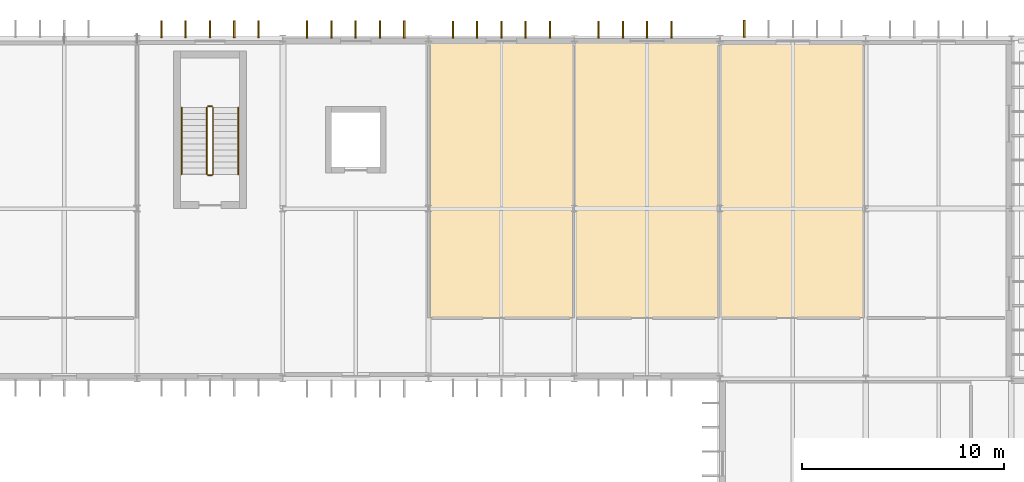
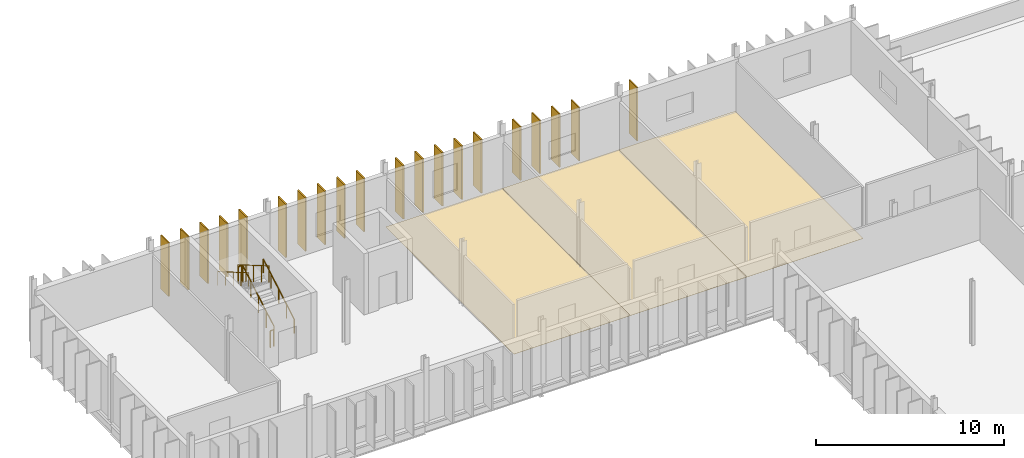
# One storey, part 60 of 61: 20 shading devices, 6 railings, 3 coverings.
"""IFC4 building model written with IfcOpenShell, lengths in metres."""

from ifc_helpers import new_model, si_unit, direction, frame, origin, origin_2d, place, context, subcontext, project, spatial, polyline, rectangle, circle, outline, extrude, material, layer, layer_set, type_object, element, save


model = new_model("IFC4")

# Units and contexts
model_context = context("Model", 3, precision=1e-05, world=origin(), true_north=direction((0.0, 1.0)))
body_context = subcontext(model_context, "Body", "Model", "MODEL_VIEW")
ifc_project = project(units=[si_unit("LENGTHUNIT", "METRE"), si_unit("AREAUNIT", "SQUARE_METRE"), si_unit("VOLUMEUNIT", "CUBIC_METRE"), si_unit("PLANEANGLEUNIT", "RADIAN"), si_unit("MASSUNIT", "GRAM", prefix="KILO")], contexts=[model_context])

# Site, building, storey
site_placement = place(None, origin())
site = spatial("IfcSite", under=ifc_project, at=site_placement, CompositionType="ELEMENT")
building_placement = place(site_placement, origin())
building = spatial("IfcBuilding", under=site, at=building_placement, Name="Qelthora Terrace Specialist Clinic", CompositionType="ELEMENT")
storey_placement = place(building_placement, frame((0.0, 0.0, 13.199951171875)))
storey = spatial("IfcBuildingStorey", under=building, at=storey_placement, Name="L03", CompositionType="ELEMENT", Elevation=13.199951171875)

# Coverings
ifc_material_1 = material(Name="Antimicrobial clinical linoleum flooring", Category="other")
ifc_layer = layer(ifc_material_1, 0.011962890625)
ifc_layer_set = layer_set([ifc_layer], Name="Antimicrobial clinical linoleum flooring")
covering_type = type_object("IfcCoveringType", Name="COV-FLR-LINO-12", PredefinedType="FLOORING", material=ifc_layer_set)
covering_1_placement = place(storey_placement, origin())
element("IfcCovering", 1, at=covering_1_placement, inside=storey, type_object=covering_type, Name="Molecular Pathology Wet Lab L03-61 resilient linoleum flooring", PredefinedType="FLOORING", context=body_context, shape_type="SweptSolid", body=[
    extrude(outline(polyline([(79.199951171875, 95.39990234375), (79.199951171875, 109.050048828125), (86.362548828125, 109.050048828125), (86.362548828125, 95.39990234375), (79.199951171875, 95.39990234375)])), origin(), (0.0, 0.0, 1.0), 0.011962890625),
])
covering_2_placement = place(storey_placement, origin())
element("IfcCovering", 2, at=covering_2_placement, inside=storey, type_object=covering_type, Name="Altitude Hypoxia Physiology Lab L03-62 resilient linoleum flooring", PredefinedType="FLOORING", context=body_context, shape_type="SweptSolid", body=[
    extrude(outline(polyline([(86.367431640625, 95.39990234375), (86.367431640625, 109.050048828125), (93.52490234375, 109.050048828125), (93.52490234375, 95.39990234375), (86.367431640625, 95.39990234375)])), origin(), (0.0, 0.0, 1.0), 0.011962890625),
])
covering_3_placement = place(storey_placement, origin())
element("IfcCovering", 3, at=covering_3_placement, inside=storey, type_object=covering_type, Name="Bioinformatics Dry Lab L03-63 resilient linoleum flooring", PredefinedType="FLOORING", context=body_context, shape_type="SweptSolid", body=[
    extrude(outline(polyline([(93.530029296875, 95.39990234375), (93.530029296875, 109.050048828125), (100.6875, 109.050048828125), (100.6875, 95.39990234375), (93.530029296875, 95.39990234375)])), origin(), (0.0, 0.0, 1.0), 0.011962890625),
])

# Railings
ifc_material_2 = material(Name="Steel S355", Category="steel")
railing_type_1 = type_object("IfcRailingType", Name="RAL-GD-1100-S355", PredefinedType="GUARDRAIL", material=ifc_material_2)
railing_1_placement = place(storey_placement, frame((68.550048828125, 102.5, 0.175048828125)))
element("IfcRailing", 4, at=railing_1_placement, inside=storey, type_object=railing_type_1, Name="L03 ST-07 stair guard 1", PredefinedType="GUARDRAIL", context=body_context, shape_type="SweptSolid", body=[
    extrude(circle(Radius=0.02392578125, at=origin_2d()), frame((0.0, 0.0, 1.076171875), z_axis=(0.0, 0.863776583165, 0.503874998761), x_axis=(-1.0, 0.0, 0.0)), (0.0, 0.0, 1.0), 3.820556640625),
    extrude(circle(Radius=0.02099609375, at=origin_2d()), origin(), (0.0, 0.0, 1.0), 1.052001953125),
    extrude(circle(Radius=0.02099609375, at=origin_2d()), frame((0.0, 0.824951171875, 0.481201171875)), (0.0, 0.0, 1.0), 1.052001953125),
    extrude(circle(Radius=0.02099609375, at=origin_2d()), frame((0.0, 1.64990234375, 0.96240234375)), (0.0, 0.0, 1.0), 1.052001953125),
    extrude(circle(Radius=0.02099609375, at=origin_2d()), frame((0.0, 2.47509765625, 1.44384765625)), (0.0, 0.0, 1.0), 1.052001953125),
    extrude(circle(Radius=0.02099609375, at=origin_2d()), frame((0.0, 3.300048828125, 1.925048828125)), (0.0, 0.0, 1.0), 1.052001953125),
])
railing_2_placement = place(storey_placement, frame((68.5, 105.85009765625, 2.10009765625)))
element("IfcRailing", 5, at=railing_2_placement, inside=storey, type_object=railing_type_1, Name="L03 ST-07 stair guard 2", PredefinedType="GUARDRAIL", context=body_context, shape_type="SweptSolid", body=[
    extrude(circle(Radius=0.02392578125, at=origin_2d()), frame((0.0, 0.0, 1.076171875), z_axis=(-1.0, 0.0, 0.0), x_axis=(0.0, -1.0, 0.0)), (0.0, 0.0, 1.0), 0.199951171875),
    extrude(circle(Radius=0.02099609375, at=origin_2d()), origin(), (0.0, 0.0, 1.0), 1.052001953125),
    extrude(circle(Radius=0.02099609375, at=origin_2d()), frame((-0.199951171875, 0.0, 0.0)), (0.0, 0.0, 1.0), 1.052001953125),
])
railing_3_placement = place(storey_placement, frame((68.25, 105.800048828125, 2.275146484375)))
element("IfcRailing", 6, at=railing_3_placement, inside=storey, type_object=railing_type_1, Name="L03 ST-07 stair guard 3", PredefinedType="GUARDRAIL", context=body_context, shape_type="SweptSolid", body=[
    extrude(circle(Radius=0.02392578125, at=origin_2d()), frame((0.0, 0.0, 1.076171875), z_axis=(0.0, -0.863804395585, 0.503827317807), x_axis=(1.0, 0.0, 0.0)), (0.0, 0.0, 1.0), 3.8203125),
    extrude(circle(Radius=0.02099609375, at=origin_2d()), origin(), (0.0, 0.0, 1.0), 1.052001953125),
    extrude(circle(Radius=0.02099609375, at=origin_2d()), frame((0.0, -0.824951171875, 0.481201171875)), (0.0, 0.0, 1.0), 1.052001953125),
    extrude(circle(Radius=0.02099609375, at=origin_2d()), frame((0.0, -1.64990234375, 0.96240234375)), (0.0, 0.0, 1.0), 1.052001953125),
    extrude(circle(Radius=0.02099609375, at=origin_2d()), frame((0.0, -2.47509765625, 1.443603515625)), (0.0, 0.0, 1.0), 1.052001953125),
    extrude(circle(Radius=0.02099609375, at=origin_2d()), frame((0.0, -3.300048828125, 1.9248046875)), (0.0, 0.0, 1.0), 1.052001953125),
])
railing_4_placement = place(storey_placement, frame((68.5, 102.449951171875, 0.0)))
element("IfcRailing", 7, at=railing_4_placement, inside=storey, type_object=railing_type_1, Name="L03 ST-07 stair guard 4", PredefinedType="GUARDRAIL", context=body_context, shape_type="SweptSolid", body=[
    extrude(circle(Radius=0.02392578125, at=origin_2d()), frame((0.0, 0.0, 1.076171875), z_axis=(-1.0, 0.0, 0.0), x_axis=(0.0, -1.0, 0.0)), (0.0, 0.0, 1.0), 0.199951171875),
    extrude(circle(Radius=0.02099609375, at=origin_2d()), origin(), (0.0, 0.0, 1.0), 1.052001953125),
    extrude(circle(Radius=0.02099609375, at=origin_2d()), frame((-0.199951171875, 0.0, 0.0)), (0.0, 0.0, 1.0), 1.052001953125),
])
railing_type_2 = type_object("IfcRailingType", Name="RAL-HR-900-S355", PredefinedType="HANDRAIL", material=ifc_material_2)
railing_5_placement = place(storey_placement, frame((69.800048828125, 102.5, 0.3681640625)))
element("IfcRailing", 8, at=railing_5_placement, inside=storey, type_object=railing_type_2, Name="L03 ST-07 stair handrail 1", PredefinedType="HANDRAIL", context=body_context, shape_type="SweptSolid", body=[
    extrude(circle(Radius=0.02392578125, at=origin_2d()), frame((0.0, 0.0, 0.8759765625), z_axis=(0.0, 0.863804395585, 0.503827317807), x_axis=(-1.0, 0.0, 0.0)), (0.0, 0.0, 1.0), 3.8203125),
    extrude(circle(Radius=0.02099609375, at=origin_2d()), origin(), (0.0, 0.0, 1.0), 0.851806640625),
    extrude(circle(Radius=0.02099609375, at=origin_2d()), frame((0.0, 0.824951171875, 0.481201171875)), (0.0, 0.0, 1.0), 0.851806640625),
    extrude(circle(Radius=0.02099609375, at=origin_2d()), frame((0.0, 1.64990234375, 0.96240234375)), (0.0, 0.0, 1.0), 0.851806640625),
    extrude(circle(Radius=0.02099609375, at=origin_2d()), frame((0.0, 2.47509765625, 1.443603515625)), (0.0, 0.0, 1.0), 0.851806640625),
    extrude(circle(Radius=0.02099609375, at=origin_2d()), frame((0.0, 3.300048828125, 1.9248046875)), (0.0, 0.0, 1.0), 0.851806640625),
])
railing_6_placement = place(storey_placement, frame((67.0, 105.800048828125, 2.468017578125)))
element("IfcRailing", 9, at=railing_6_placement, inside=storey, type_object=railing_type_2, Name="L03 ST-07 stair handrail 2", PredefinedType="HANDRAIL", context=body_context, shape_type="SweptSolid", body=[
    extrude(circle(Radius=0.02392578125, at=origin_2d()), frame((0.0, 0.0, 0.8759765625), z_axis=(0.0, -0.863776583165, 0.503874998761), x_axis=(1.0, 0.0, 0.0)), (0.0, 0.0, 1.0), 3.820556640625),
    extrude(circle(Radius=0.02099609375, at=origin_2d()), origin(), (0.0, 0.0, 1.0), 0.851806640625),
    extrude(circle(Radius=0.02099609375, at=origin_2d()), frame((0.0, -0.824951171875, 0.481201171875)), (0.0, 0.0, 1.0), 0.851806640625),
    extrude(circle(Radius=0.02099609375, at=origin_2d()), frame((0.0, -1.64990234375, 0.96240234375)), (0.0, 0.0, 1.0), 0.851806640625),
    extrude(circle(Radius=0.02099609375, at=origin_2d()), frame((0.0, -2.47509765625, 1.44384765625)), (0.0, 0.0, 1.0), 0.851806640625),
    extrude(circle(Radius=0.02099609375, at=origin_2d()), frame((0.0, -3.300048828125, 1.925048828125)), (0.0, 0.0, 1.0), 0.851806640625),
])

# Shading devices
ifc_material_3 = material(Name="Glulam timber GL28h", Category="wood")
shading_device_type = type_object("IfcShadingDeviceType", Name="SHD-FIN-850", PredefinedType="USERDEFINED", material=ifc_material_3)
for number, where, z_axis, x_axis, name in (
    (10, (66.0, 109.6650390625, 0.0), (0.0, 0.0, 1.0), (0.0, 1.0, 0.0), "Exterior solar shading fin FIN-1576"),
    (11, (67.199951171875, 109.6650390625, 0.0), (0.0, 0.0, 1.0), (0.0, 1.0, 0.0), "Exterior solar shading fin FIN-1577"),
    (12, (68.39990234375, 109.6650390625, 0.0), (0.0, 0.0, 1.0), (0.0, 1.0, 0.0), "Exterior solar shading fin FIN-1578"),
    (13, (69.60009765625, 109.6650390625, 0.0), (0.0, 0.0, 1.0), (0.0, 1.0, 0.0), "Exterior solar shading fin FIN-1579"),
    (14, (70.800048828125, 109.6650390625, 0.0), (0.0, 0.0, 1.0), (0.0, 1.0, 0.0), "Exterior solar shading fin FIN-1580"),
    (15, (73.199951171875, 109.655029296875, 0.0), (0.0, 0.0, 1.0), (0.0, 1.0, 0.0), "Exterior solar shading fin FIN-1581"),
    (16, (74.39990234375, 109.655029296875, 0.0), (0.0, 0.0, 1.0), (0.0, 1.0, 0.0), "Exterior solar shading fin FIN-1582"),
    (17, (75.60009765625, 109.655029296875, 0.0), (0.0, 0.0, 1.0), (0.0, 1.0, 0.0), "Exterior solar shading fin FIN-1583"),
    (18, (76.800048828125, 109.655029296875, 0.0), (0.0, 0.0, 1.0), (0.0, 1.0, 0.0), "Exterior solar shading fin FIN-1584"),
    (19, (78.0, 109.655029296875, 0.0), (0.0, 0.0, 1.0), (0.0, 1.0, 0.0), "Exterior solar shading fin FIN-1585"),
    (20, (80.39990234375, 109.64501953125, 0.0), (0.0, 0.0, 1.0), (0.0, 1.0, 0.0), "Exterior solar shading fin FIN-1586"),
    (21, (81.60009765625, 109.64501953125, 0.0), (0.0, 0.0, 1.0), (0.0, 1.0, 0.0), "Exterior solar shading fin FIN-1587"),
    (22, (82.800048828125, 109.64501953125, 0.0), (0.0, 0.0, 1.0), (0.0, 1.0, 0.0), "Exterior solar shading fin FIN-1588"),
    (23, (84.0, 109.64501953125, 0.0), (0.0, 0.0, 1.0), (0.0, 1.0, 0.0), "Exterior solar shading fin FIN-1589"),
    (24, (85.199951171875, 109.64501953125, 0.0), (0.0, 0.0, 1.0), (0.0, 1.0, 0.0), "Exterior solar shading fin FIN-1590"),
    (25, (87.60009765625, 109.635009765625, 0.0), (0.0, 0.0, 1.0), (0.0, 1.0, 0.0), "Exterior solar shading fin FIN-1591"),
    (26, (88.800048828125, 109.635009765625, 0.0), (0.0, 0.0, 1.0), (0.0, 1.0, 0.0), "Exterior solar shading fin FIN-1592"),
    (27, (90.0, 109.635009765625, 0.0), (0.0, 0.0, 1.0), (0.0, 1.0, 0.0), "Exterior solar shading fin FIN-1593"),
    (28, (91.199951171875, 109.635009765625, 0.0), (0.0, 0.0, 1.0), (0.0, 1.0, 0.0), "Exterior solar shading fin FIN-1594"),
    (29, (94.800048828125, 109.695068359375, 0.0), (0.0, 0.0, 1.0), (0.0, 1.0, 0.0), "Exterior solar shading fin FIN-1595"),
):
    element("IfcShadingDevice", number, at=place(storey_placement, frame(where, z_axis=z_axis, x_axis=x_axis)), inside=storey, type_object=shading_device_type, Name=name, ObjectType="FIN", PredefinedType="USERDEFINED", context=body_context, shape_type="SweptSolid", body=[
        extrude(rectangle(XDim=0.85009765625, YDim=0.080078125, at=origin_2d()), origin(), (0.0, 0.0, 1.0), 3.48193359375),
    ])

save(model, "model.ifc")
